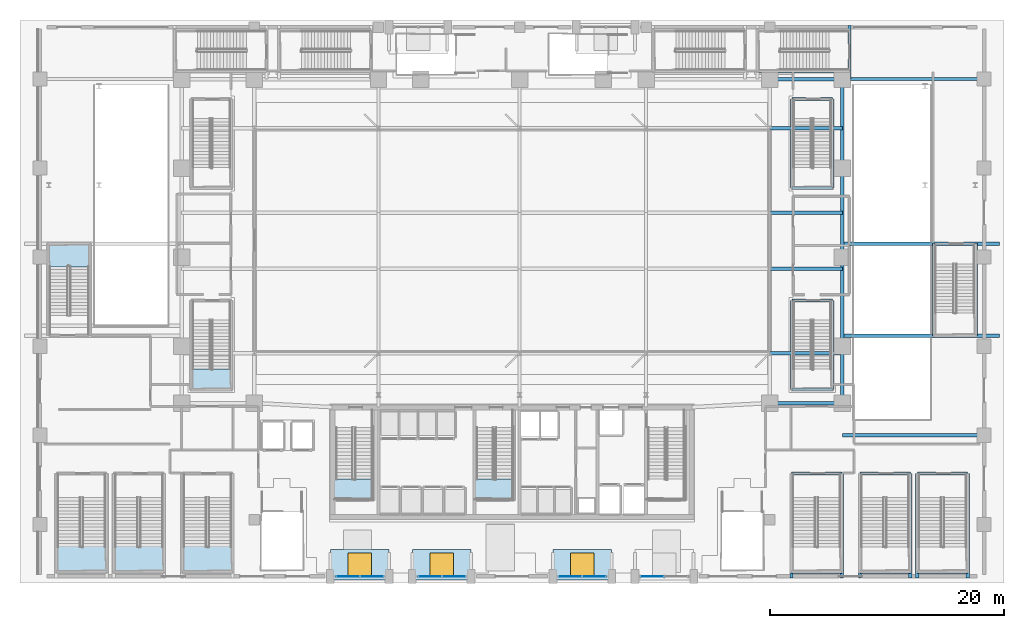
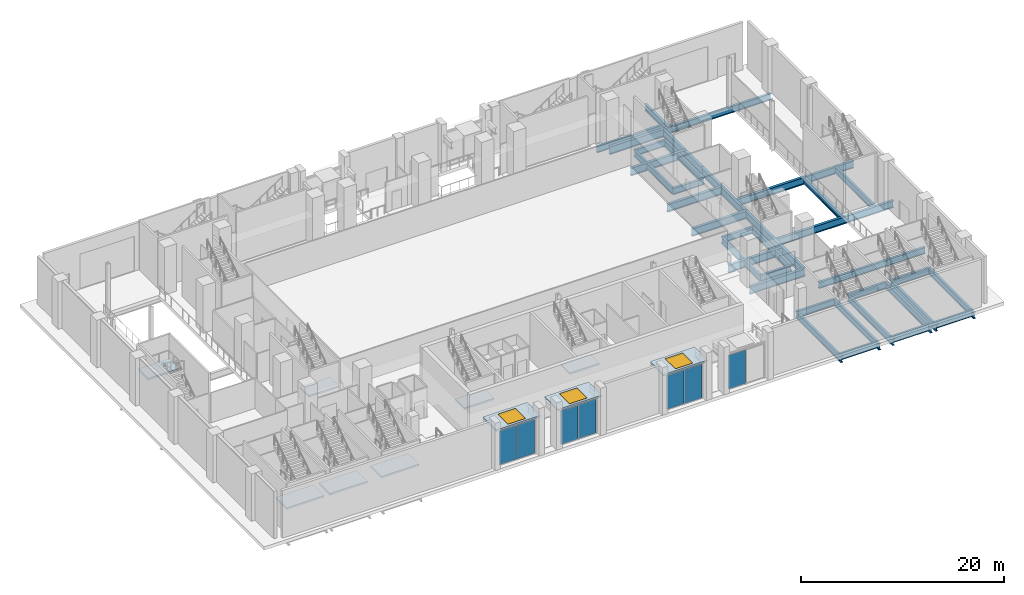
# One storey, part 16 of 36: 38 beams, 10 slabs, 7 plates, 3 windows, 3 openings, 11 elements without a shape of their own.
"""IFC4 building model written with IfcOpenShell, lengths in metres."""

from ifc_helpers import new_model, si_unit, direction, frame, origin, origin_2d, place, context, subcontext, project, spatial, polyline, rectangle, i_section, outline, extrude, material, layer, layer_set, material_profile, profile_set, type_object, element, fill, aggregate, save


model = new_model("IFC4")

# Units and contexts
model_context = context("Model", 3, precision=1e-05, world=origin(), true_north=direction((0.0, 1.0)))
body_context = subcontext(model_context, "Body", "Model", "MODEL_VIEW")
ifc_project = project(units=[si_unit("LENGTHUNIT", "METRE"), si_unit("AREAUNIT", "SQUARE_METRE"), si_unit("VOLUMEUNIT", "CUBIC_METRE"), si_unit("PLANEANGLEUNIT", "RADIAN"), si_unit("MASSUNIT", "GRAM", prefix="KILO")], contexts=[model_context])

# Site, building, storey
site_placement = place(None, origin())
site = spatial("IfcSite", under=ifc_project, at=site_placement, CompositionType="ELEMENT")
building_placement = place(site_placement, origin())
building = spatial("IfcBuilding", under=site, at=building_placement, Name="Ndaravel Arena Tower", CompositionType="ELEMENT")
storey_placement = place(building_placement, origin())
storey = spatial("IfcBuildingStorey", under=building, at=storey_placement, Name="L00", CompositionType="ELEMENT", Elevation=0.0)

# Beams
ifc_material_1 = material(Name="Steel S355", Category="steel")
ifc_material_profile_1 = material_profile(ifc_material_1, i_section(OverallWidth=0.26806640625, OverallDepth=0.769775390625, WebThickness=0.015625, FlangeThickness=0.025390625, FilletRadius=0.0166015625, at=origin_2d()), Name="UB 762x267x197")
ifc_profile_set_1 = profile_set([ifc_material_profile_1], Name="Steel S355")
beam_type_1 = type_object("IfcBeamType", Name="BM-POD-UB762", PredefinedType="BEAM", material=ifc_profile_set_1)
for number, where, z_axis, x_axis, name in (
    (1, (70.199951171875, 43.0, -0.784912109375), (1.0, 0.0, 0.0), (0.0, 1.0, 0.0), "L00 East Concourse Beam 04"),
    (2, (70.199951171875, 12.60009765625, -0.784912109375), (1.0, 0.0, 0.0), (0.0, 1.0, 0.0), "L00 Truck Ramp South Header Girder"),
):
    element("IfcBeam", number, at=place(storey_placement, frame(where, z_axis=z_axis, x_axis=x_axis)), inside=storey, type_object=beam_type_1, Name=name, PredefinedType="BEAM", context=body_context, shape_type="SweptSolid", body=[
        extrude(i_section(OverallWidth=0.26806640625, OverallDepth=0.769775390625, WebThickness=0.015625, FlangeThickness=0.025390625, FilletRadius=0.0166015625, at=origin_2d()), origin(), (0.0, 0.0, 1.0), 12.10009765625),
    ])
for number, where, z_axis, x_axis, name in (
    (3, (65.85009765625, 0.39990234375, -0.784912109375), (0.0, 1.0, 0.0), (-1.0, 0.0, 0.0), "L00 Stair ST-A04 Tie Beam 1"),
    (4, (70.14990234375, 0.39990234375, -0.784912109375), (0.0, 1.0, 0.0), (-1.0, 0.0, 0.0), "L00 Stair ST-A04 Tie Beam 2"),
):
    element("IfcBeam", number, at=place(storey_placement, frame(where, z_axis=z_axis, x_axis=x_axis)), inside=storey, type_object=beam_type_1, Name=name, PredefinedType="BEAM", context=body_context, shape_type="SweptSolid", body=[
        extrude(i_section(OverallWidth=0.26806640625, OverallDepth=0.769775390625, WebThickness=0.015625, FlangeThickness=0.025390625, FilletRadius=0.0166015625, at=origin_2d()), origin(), (0.0, 0.0, 1.0), 8.9501953125),
    ])
for number, where, z_axis, x_axis, name in (
    (5, (65.85009765625, 0.949951171875, -0.784912109375), (1.0, 0.0, 0.0), (0.0, 1.0, 0.0), "L00 Stair ST-A04 South Carrier Girder"),
    (6, (65.85009765625, 9.35009765625, -0.784912109375), (1.0, 0.0, 0.0), (0.0, 1.0, 0.0), "L00 Stair ST-A04 North Carrier Girder"),
):
    element("IfcBeam", number, at=place(storey_placement, frame(where, z_axis=z_axis, x_axis=x_axis)), inside=storey, type_object=beam_type_1, Name=name, PredefinedType="BEAM", context=body_context, shape_type="SweptSolid", body=[
        extrude(i_section(OverallWidth=0.26806640625, OverallDepth=0.769775390625, WebThickness=0.015625, FlangeThickness=0.025390625, FilletRadius=0.0166015625, at=origin_2d()), origin(), (0.0, 0.0, 1.0), 4.2998046875),
    ])
for number, where, z_axis, x_axis, name in (
    (7, (71.699951171875, 0.39990234375, -0.784912109375), (0.0, 1.0, 0.0), (-1.0, 0.0, 0.0), "L00 Stair ST-A05 Tie Beam 1"),
    (8, (76.0, 0.39990234375, -0.784912109375), (0.0, 1.0, 0.0), (-1.0, 0.0, 0.0), "L00 Stair ST-A05 Tie Beam 2"),
):
    element("IfcBeam", number, at=place(storey_placement, frame(where, z_axis=z_axis, x_axis=x_axis)), inside=storey, type_object=beam_type_1, Name=name, PredefinedType="BEAM", context=body_context, shape_type="SweptSolid", body=[
        extrude(i_section(OverallWidth=0.26806640625, OverallDepth=0.769775390625, WebThickness=0.015625, FlangeThickness=0.025390625, FilletRadius=0.0166015625, at=origin_2d()), origin(), (0.0, 0.0, 1.0), 8.9501953125),
    ])
for number, where, z_axis, x_axis, name in (
    (9, (71.699951171875, 0.949951171875, -0.784912109375), (1.0, 0.0, 0.0), (0.0, 1.0, 0.0), "L00 Stair ST-A05 South Carrier Girder"),
    (10, (71.699951171875, 9.35009765625, -0.784912109375), (1.0, 0.0, 0.0), (0.0, 1.0, 0.0), "L00 Stair ST-A05 North Carrier Girder"),
):
    element("IfcBeam", number, at=place(storey_placement, frame(where, z_axis=z_axis, x_axis=x_axis)), inside=storey, type_object=beam_type_1, Name=name, PredefinedType="BEAM", context=body_context, shape_type="SweptSolid", body=[
        extrude(i_section(OverallWidth=0.26806640625, OverallDepth=0.769775390625, WebThickness=0.015625, FlangeThickness=0.025390625, FilletRadius=0.0166015625, at=origin_2d()), origin(), (0.0, 0.0, 1.0), 4.300048828125),
    ])
for number, where, z_axis, x_axis, name in (
    (11, (76.60009765625, 0.39990234375, -0.784912109375), (0.0, 1.0, 0.0), (-1.0, 0.0, 0.0), "L00 Stair ST-A06 Tie Beam 1"),
    (12, (80.89990234375, 0.39990234375, -0.784912109375), (0.0, 1.0, 0.0), (-1.0, 0.0, 0.0), "L00 Stair ST-A06 Tie Beam 2"),
):
    element("IfcBeam", number, at=place(storey_placement, frame(where, z_axis=z_axis, x_axis=x_axis)), inside=storey, type_object=beam_type_1, Name=name, PredefinedType="BEAM", context=body_context, shape_type="SweptSolid", body=[
        extrude(i_section(OverallWidth=0.26806640625, OverallDepth=0.769775390625, WebThickness=0.015625, FlangeThickness=0.025390625, FilletRadius=0.0166015625, at=origin_2d()), origin(), (0.0, 0.0, 1.0), 8.9501953125),
    ])
for number, where, z_axis, x_axis, name in (
    (13, (76.60009765625, 0.949951171875, -0.784912109375), (1.0, 0.0, 0.0), (0.0, 1.0, 0.0), "L00 Stair ST-A06 South Carrier Girder"),
    (14, (76.60009765625, 9.35009765625, -0.784912109375), (1.0, 0.0, 0.0), (0.0, 1.0, 0.0), "L00 Stair ST-A06 North Carrier Girder"),
):
    element("IfcBeam", number, at=place(storey_placement, frame(where, z_axis=z_axis, x_axis=x_axis)), inside=storey, type_object=beam_type_1, Name=name, PredefinedType="BEAM", context=body_context, shape_type="SweptSolid", body=[
        extrude(i_section(OverallWidth=0.26806640625, OverallDepth=0.769775390625, WebThickness=0.015625, FlangeThickness=0.025390625, FilletRadius=0.0166015625, at=origin_2d()), origin(), (0.0, 0.0, 1.0), 4.2998046875),
    ])
beam_1_placement = place(storey_placement, frame((70.800048828125, 43.0, -0.784912109375), z_axis=(0.0, 1.0, 0.0), x_axis=(-1.0, 0.0, 0.0)))
element("IfcBeam", 15, at=beam_1_placement, inside=storey, type_object=beam_type_1, Name="L00 Stair ST-A11 North Tie Girder 2", PredefinedType="BEAM", context=body_context, shape_type="SweptSolid", body=[
    extrude(i_section(OverallWidth=0.26806640625, OverallDepth=0.769775390625, WebThickness=0.015625, FlangeThickness=0.025390625, FilletRadius=0.0166015625, at=origin_2d()), origin(), (0.0, 0.0, 1.0), 4.60009765625),
])
beam_2_placement = place(storey_placement, frame((62.949951171875, 43.659912109375, -0.784912109375), z_axis=(1.0, 0.0, 0.0), x_axis=(0.0, 1.0, 0.0)))
element("IfcBeam", 16, at=beam_2_placement, inside=storey, type_object=beam_type_1, Name="L00 Stair ST-A11 Inner Carrier Beam", PredefinedType="BEAM", context=body_context, shape_type="SweptSolid", body=[
    extrude(i_section(OverallWidth=0.26806640625, OverallDepth=0.769775390625, WebThickness=0.015625, FlangeThickness=0.025390625, FilletRadius=0.0166015625, at=origin_2d()), origin(), (0.0, 0.0, 1.0), 7.85009765625),
])
for number, where, z_axis, x_axis, name in (
    (17, (78.02001953125, 21.10009765625, -0.784912109375), (0.0, 1.0, 0.0), (-1.0, 0.0, 0.0), "L00 Stair ST-A12 Side Carrier Beam 1"),
    (18, (81.60009765625, 21.10009765625, -0.784912109375), (0.0, 1.0, 0.0), (-1.0, 0.0, 0.0), "L00 Stair ST-A12 Side Carrier Beam 2"),
):
    element("IfcBeam", number, at=place(storey_placement, frame(where, z_axis=z_axis, x_axis=x_axis)), inside=storey, type_object=beam_type_1, Name=name, PredefinedType="BEAM", context=body_context, shape_type="SweptSolid", body=[
        extrude(i_section(OverallWidth=0.26806640625, OverallDepth=0.769775390625, WebThickness=0.015625, FlangeThickness=0.025390625, FilletRadius=0.0166015625, at=origin_2d()), origin(), (0.0, 0.0, 1.0), 7.849853515625),
    ])
for number, where, z_axis, x_axis, name in (
    (19, (65.89990234375, 16.5, -0.784912109375), (0.0, 1.0, 0.0), (-1.0, 0.0, 0.0), "L00 Stair ST-VOM-3 Vomitory Side Beam 1"),
    (20, (69.360107421875, 16.5, -0.784912109375), (0.0, 1.0, 0.0), (-1.0, 0.0, 0.0), "L00 Stair ST-VOM-3 Vomitory Side Beam 2"),
):
    element("IfcBeam", number, at=place(storey_placement, frame(where, z_axis=z_axis, x_axis=x_axis)), inside=storey, type_object=beam_type_1, Name=name, PredefinedType="BEAM", context=body_context, shape_type="SweptSolid", body=[
        extrude(i_section(OverallWidth=0.26806640625, OverallDepth=0.769775390625, WebThickness=0.015625, FlangeThickness=0.025390625, FilletRadius=0.0166015625, at=origin_2d()), origin(), (0.0, 0.0, 1.0), 7.60009765625),
    ])
for number, where, z_axis, x_axis, name in (
    (21, (65.89990234375, 16.5, -0.784912109375), (1.0, 0.0, 0.0), (0.0, 1.0, 0.0), "L00 Stair ST-VOM-3 Vomitory End Beam 1"),
    (22, (65.89990234375, 24.10009765625, -0.784912109375), (1.0, 0.0, 0.0), (0.0, 1.0, 0.0), "L00 Stair ST-VOM-3 Vomitory End Beam 2"),
):
    element("IfcBeam", number, at=place(storey_placement, frame(where, z_axis=z_axis, x_axis=x_axis)), inside=storey, type_object=beam_type_1, Name=name, PredefinedType="BEAM", context=body_context, shape_type="SweptSolid", body=[
        extrude(i_section(OverallWidth=0.26806640625, OverallDepth=0.769775390625, WebThickness=0.015625, FlangeThickness=0.025390625, FilletRadius=0.0166015625, at=origin_2d()), origin(), (0.0, 0.0, 1.0), 3.460205078125),
    ])
for number, where, z_axis, x_axis, name in (
    (23, (65.89990234375, 33.699951171875, -0.784912109375), (0.0, 1.0, 0.0), (-1.0, 0.0, 0.0), "L00 Stair ST-VOM-4 Vomitory Side Beam 1"),
    (24, (69.360107421875, 33.699951171875, -0.784912109375), (0.0, 1.0, 0.0), (-1.0, 0.0, 0.0), "L00 Stair ST-VOM-4 Vomitory Side Beam 2"),
):
    element("IfcBeam", number, at=place(storey_placement, frame(where, z_axis=z_axis, x_axis=x_axis)), inside=storey, type_object=beam_type_1, Name=name, PredefinedType="BEAM", context=body_context, shape_type="SweptSolid", body=[
        extrude(i_section(OverallWidth=0.26806640625, OverallDepth=0.769775390625, WebThickness=0.015625, FlangeThickness=0.025390625, FilletRadius=0.0166015625, at=origin_2d()), origin(), (0.0, 0.0, 1.0), 7.60009765625),
    ])
for number, where, z_axis, x_axis, name in (
    (25, (65.89990234375, 33.699951171875, -0.784912109375), (1.0, 0.0, 0.0), (0.0, 1.0, 0.0), "L00 Stair ST-VOM-4 Vomitory End Beam 1"),
    (26, (65.89990234375, 41.300048828125, -0.784912109375), (1.0, 0.0, 0.0), (0.0, 1.0, 0.0), "L00 Stair ST-VOM-4 Vomitory End Beam 2"),
):
    element("IfcBeam", number, at=place(storey_placement, frame(where, z_axis=z_axis, x_axis=x_axis)), inside=storey, type_object=beam_type_1, Name=name, PredefinedType="BEAM", context=body_context, shape_type="SweptSolid", body=[
        extrude(i_section(OverallWidth=0.26806640625, OverallDepth=0.769775390625, WebThickness=0.015625, FlangeThickness=0.025390625, FilletRadius=0.0166015625, at=origin_2d()), origin(), (0.0, 0.0, 1.0), 3.460205078125),
    ])
ifc_material_2 = material(Name="Steel S355", Category="steel")
ifc_material_profile_2 = material_profile(ifc_material_2, i_section(OverallWidth=0.293701171875, OverallDepth=0.850830078125, WebThickness=0.01611328125, FlangeThickness=0.02685546875, FilletRadius=0.017822265625, at=origin_2d()), Name="UB 838x292x226")
ifc_profile_set_2 = profile_set([ifc_material_profile_2], Name="Steel S355")
beam_type_2 = type_object("IfcBeamType", Name="BM-POD-UB838", PredefinedType="BEAM", material=ifc_profile_set_2)
for number, where, z_axis, x_axis, name in (
    (27, (70.199951171875, 21.10009765625, -0.825439453125), (1.0, 0.0, 0.0), (0.0, 1.0, 0.0), "L00 Stair ST-A12 Cross Carrier Girder 1"),
    (28, (70.199951171875, 28.949951171875, -0.825439453125), (1.0, 0.0, 0.0), (0.0, 1.0, 0.0), "L00 Stair ST-A12 Cross Carrier Girder 2"),
):
    element("IfcBeam", number, at=place(storey_placement, frame(where, z_axis=z_axis, x_axis=x_axis)), inside=storey, type_object=beam_type_2, Name=name, PredefinedType="BEAM", context=body_context, shape_type="SweptSolid", body=[
        extrude(i_section(OverallWidth=0.293701171875, OverallDepth=0.850830078125, WebThickness=0.01611328125, FlangeThickness=0.02685546875, FilletRadius=0.017822265625, at=origin_2d()), origin(), (0.0, 0.0, 1.0), 13.400146484375),
    ])
ifc_material_3 = material(Name="Steel S355", Category="steel")
ifc_material_profile_3 = material_profile(ifc_material_3, i_section(OverallWidth=0.3076171875, OverallDepth=0.926513671875, WebThickness=0.01953125, FlangeThickness=0.031982421875, FilletRadius=0.01904296875, at=origin_2d()), Name="UB 914x305x289")
ifc_profile_set_3 = profile_set([ifc_material_profile_3], Name="Steel S355")
beam_type_3 = type_object("IfcBeamType", Name="BM-POD-UB914B", PredefinedType="BEAM", material=ifc_profile_set_3)
beam_3_placement = place(storey_placement, frame((70.199951171875, 15.35009765625, -0.86328125), z_axis=(0.0, 1.0, 0.0), x_axis=(-1.0, 0.0, 0.0)))
element("IfcBeam", 29, at=beam_3_placement, inside=storey, type_object=beam_type_3, Name="L00 Arena Ring Girder 05", PredefinedType="BEAM", context=body_context, shape_type="SweptSolid", body=[
    extrude(i_section(OverallWidth=0.3076171875, OverallDepth=0.926513671875, WebThickness=0.01953125, FlangeThickness=0.031982421875, FilletRadius=0.01904296875, at=origin_2d()), origin(), (0.0, 0.0, 1.0), 4.849853515625),
])
beam_4_placement = place(storey_placement, frame((70.199951171875, 20.199951171875, -0.86328125), z_axis=(0.0, 1.0, 0.0), x_axis=(-1.0, 0.0, 0.0)))
element("IfcBeam", 30, at=beam_4_placement, inside=storey, type_object=beam_type_3, Name="L00 Arena Ring Girder 06", PredefinedType="BEAM", context=body_context, shape_type="SweptSolid", body=[
    extrude(i_section(OverallWidth=0.3076171875, OverallDepth=0.926513671875, WebThickness=0.01953125, FlangeThickness=0.031982421875, FilletRadius=0.01904296875, at=origin_2d()), origin(), (0.0, 0.0, 1.0), 7.60009765625),
])
beam_5_placement = place(storey_placement, frame((70.199951171875, 27.800048828125, -0.86328125), z_axis=(0.0, 1.0, 0.0), x_axis=(-1.0, 0.0, 0.0)))
element("IfcBeam", 31, at=beam_5_placement, inside=storey, type_object=beam_type_3, Name="L00 Arena Ring Girder 07", PredefinedType="BEAM", context=body_context, shape_type="SweptSolid", body=[
    extrude(i_section(OverallWidth=0.3076171875, OverallDepth=0.926513671875, WebThickness=0.01953125, FlangeThickness=0.031982421875, FilletRadius=0.01904296875, at=origin_2d()), origin(), (0.0, 0.0, 1.0), 7.599853515625),
])
beam_6_placement = place(storey_placement, frame((70.199951171875, 35.39990234375, -0.86328125), z_axis=(0.0, 1.0, 0.0), x_axis=(-1.0, 0.0, 0.0)))
element("IfcBeam", 32, at=beam_6_placement, inside=storey, type_object=beam_type_3, Name="L00 Arena Ring Girder 08", PredefinedType="BEAM", context=body_context, shape_type="SweptSolid", body=[
    extrude(i_section(OverallWidth=0.3076171875, OverallDepth=0.926513671875, WebThickness=0.01953125, FlangeThickness=0.031982421875, FilletRadius=0.01904296875, at=origin_2d()), origin(), (0.0, 0.0, 1.0), 7.60009765625),
])
for number, where, z_axis, x_axis, name in (
    (33, (64.0, 43.0, -0.86328125), (1.0, 0.0, 0.0), (0.0, 1.0, 0.0), "L00 Arena Ring Girder 16"),
    (34, (64.0, 15.35009765625, -0.86328125), (1.0, 0.0, 0.0), (0.0, 1.0, 0.0), "L00 Arena Ring Girder 20"),
    (35, (64.0, 19.60009765625, -0.86328125), (1.0, 0.0, 0.0), (0.0, 1.0, 0.0), "L00 Sub-Court Girder 1.6"),
    (36, (64.0, 26.800048828125, -0.86328125), (1.0, 0.0, 0.0), (0.0, 1.0, 0.0), "L00 Sub-Court Girder 2.6"),
    (37, (64.0, 31.60009765625, -0.86328125), (1.0, 0.0, 0.0), (0.0, 1.0, 0.0), "L00 Sub-Court Girder 3.6"),
    (38, (64.0, 38.800048828125, -0.86328125), (1.0, 0.0, 0.0), (0.0, 1.0, 0.0), "L00 Sub-Court Girder 4.6"),
):
    element("IfcBeam", number, at=place(storey_placement, frame(where, z_axis=z_axis, x_axis=x_axis)), inside=storey, type_object=beam_type_3, Name=name, PredefinedType="BEAM", context=body_context, shape_type="SweptSolid", body=[
        extrude(i_section(OverallWidth=0.3076171875, OverallDepth=0.926513671875, WebThickness=0.01953125, FlangeThickness=0.031982421875, FilletRadius=0.01904296875, at=origin_2d()), origin(), (0.0, 0.0, 1.0), 6.199951171875),
    ])

# Curtain wall, plates
ifc_material_4 = material(Name="Aluminium", Category="aluminium")
ifc_layer_1 = layer(ifc_material_4, 0.179931640625)
ifc_layer_set_1 = layer_set([ifc_layer_1], Name="Aluminium")
curtain_wall_type = type_object("IfcCurtainWallType", Name="CW-SYS-05", PredefinedType="NOTDEFINED", material=ifc_layer_set_1)
curtain_wall_1_placement = place(storey_placement, origin())
curtain_wall_1 = element("IfcCurtainWall", 39, at=curtain_wall_1_placement, inside=storey, type_object=curtain_wall_type, Name="L00 South Foyer Storefront CW-L00-SF-1", PredefinedType="NOTDEFINED")
ifc_material_5 = material(Name="Glazing", Category="glass")
ifc_layer_2 = layer(ifc_material_5, 0.0400390625)
ifc_layer_set_2 = layer_set([ifc_layer_2], Name="Glazing")
plate_type = type_object("IfcPlateType", Name="PLT-GLZ-LOWIRON", PredefinedType="CURTAIN_PANEL", material=ifc_layer_set_2)
plate_1_placement = place(storey_placement, frame((27.97509765625, 0.550048828125, 0.06005859375), z_axis=(0.0, 0.0, 1.0), x_axis=(1.0, 0.0, 0.0)))
plate_1 = element("IfcPlate", 40, at=plate_1_placement, type_object=plate_type, Name="CW-L00-SF-1 Vision Glass Panel 01", PredefinedType="CURTAIN_PANEL", context=body_context, shape_type="SweptSolid", body=[
    extrude(rectangle(XDim=1.969970703125, YDim=0.035888671875, at=origin_2d()), origin(), (0.0, 0.0, 1.0), 4.06005859375),
])
plate_2_placement = place(storey_placement, frame((30.02490234375, 0.550048828125, 0.06005859375), z_axis=(0.0, 0.0, 1.0), x_axis=(1.0, 0.0, 0.0)))
plate_2 = element("IfcPlate", 41, at=plate_2_placement, type_object=plate_type, Name="CW-L00-SF-1 Vision Glass Panel 02", PredefinedType="CURTAIN_PANEL", context=body_context, shape_type="SweptSolid", body=[
    extrude(rectangle(XDim=1.969970703125, YDim=0.035888671875, at=origin_2d()), origin(), (0.0, 0.0, 1.0), 4.06005859375),
])
aggregate(curtain_wall_1, [plate_1, plate_2])

curtain_wall_2_placement = place(storey_placement, origin())
curtain_wall_2 = element("IfcCurtainWall", 42, at=curtain_wall_2_placement, inside=storey, type_object=curtain_wall_type, Name="L00 South Foyer Storefront CW-L00-SF-2", PredefinedType="NOTDEFINED")
plate_3_placement = place(storey_placement, frame((34.97509765625, 0.550048828125, 0.06005859375), z_axis=(0.0, 0.0, 1.0), x_axis=(1.0, 0.0, 0.0)))
plate_3 = element("IfcPlate", 43, at=plate_3_placement, type_object=plate_type, Name="CW-L00-SF-2 Vision Glass Panel 01", PredefinedType="CURTAIN_PANEL", context=body_context, shape_type="SweptSolid", body=[
    extrude(rectangle(XDim=1.969970703125, YDim=0.035888671875, at=origin_2d()), origin(), (0.0, 0.0, 1.0), 4.06005859375),
])
plate_4_placement = place(storey_placement, frame((37.02490234375, 0.550048828125, 0.06005859375), z_axis=(0.0, 0.0, 1.0), x_axis=(1.0, 0.0, 0.0)))
plate_4 = element("IfcPlate", 44, at=plate_4_placement, type_object=plate_type, Name="CW-L00-SF-2 Vision Glass Panel 02", PredefinedType="CURTAIN_PANEL", context=body_context, shape_type="SweptSolid", body=[
    extrude(rectangle(XDim=1.969970703125, YDim=0.035888671875, at=origin_2d()), origin(), (0.0, 0.0, 1.0), 4.06005859375),
])
aggregate(curtain_wall_2, [plate_3, plate_4])

curtain_wall_3_placement = place(storey_placement, origin())
curtain_wall_3 = element("IfcCurtainWall", 45, at=curtain_wall_3_placement, inside=storey, type_object=curtain_wall_type, Name="L00 South Foyer Storefront CW-L00-SF-3", PredefinedType="NOTDEFINED")
plate_5_placement = place(storey_placement, frame((46.97509765625, 0.550048828125, 0.06005859375), z_axis=(0.0, 0.0, 1.0), x_axis=(1.0, 0.0, 0.0)))
plate_5 = element("IfcPlate", 46, at=plate_5_placement, type_object=plate_type, Name="CW-L00-SF-3 Vision Glass Panel 01", PredefinedType="CURTAIN_PANEL", context=body_context, shape_type="SweptSolid", body=[
    extrude(rectangle(XDim=1.969970703125, YDim=0.035888671875, at=origin_2d()), origin(), (0.0, 0.0, 1.0), 4.06005859375),
])
plate_6_placement = place(storey_placement, frame((49.02490234375, 0.550048828125, 0.06005859375), z_axis=(0.0, 0.0, 1.0), x_axis=(1.0, 0.0, 0.0)))
plate_6 = element("IfcPlate", 47, at=plate_6_placement, type_object=plate_type, Name="CW-L00-SF-3 Vision Glass Panel 02", PredefinedType="CURTAIN_PANEL", context=body_context, shape_type="SweptSolid", body=[
    extrude(rectangle(XDim=1.969970703125, YDim=0.035888671875, at=origin_2d()), origin(), (0.0, 0.0, 1.0), 4.06005859375),
])
aggregate(curtain_wall_3, [plate_5, plate_6])

# Curtain wall, plate
curtain_wall_4_placement = place(storey_placement, origin())
curtain_wall_4 = element("IfcCurtainWall", 48, at=curtain_wall_4_placement, inside=storey, type_object=curtain_wall_type, Name="L00 South Foyer Storefront CW-L00-SF-4", PredefinedType="NOTDEFINED")
plate_7_placement = place(storey_placement, frame((53.97509765625, 0.550048828125, 0.06005859375), z_axis=(0.0, 0.0, 1.0), x_axis=(1.0, 0.0, 0.0)))
plate_7 = element("IfcPlate", 49, at=plate_7_placement, type_object=plate_type, Name="CW-L00-SF-4 Vision Glass Panel 01", PredefinedType="CURTAIN_PANEL", context=body_context, shape_type="SweptSolid", body=[
    extrude(rectangle(XDim=1.969970703125, YDim=0.035888671875, at=origin_2d()), origin(), (0.0, 0.0, 1.0), 4.06005859375),
])
aggregate(curtain_wall_4, [plate_7])

# Slab, opening, window
ifc_material_6 = material(Name="Concrete C40/50", Category="concrete")
ifc_layer_3 = layer(ifc_material_6, 0.199951171875)
ifc_layer_set_3 = layer_set([ifc_layer_3], Name="Concrete C40/50")
slab_type_1 = type_object("IfcSlabType", Name="SLAB-CANOPY-ROOF-200", PredefinedType="ROOF", material=ifc_layer_set_3)
slab_1_placement = place(storey_placement, frame((0.0, 0.0, 4.39990234375)))
slab_1 = element("IfcSlab", 50, at=slab_1_placement, inside=storey, type_object=slab_type_1, Name="L00 Entrance Canopy Roof 01", PredefinedType="ROOF", context=body_context, shape_type="SweptSolid", body=[
    extrude(outline(polyline([(26.5, 0.25), (31.5, 0.25), (31.5, 2.85009765625), (26.5, 2.85009765625), (26.5, 0.25)]), holes=[polyline([(28.0, 0.550048828125), (30.0, 0.550048828125), (30.0, 2.550048828125), (28.0, 2.550048828125), (28.0, 0.550048828125)])]), origin(), (0.0, 0.0, 1.0), 0.2001953125),
])
opening_1_placement = place(slab_1_placement, frame((29.0, 1.550048828125, 0.0)))
opening_1 = element("IfcOpeningElement", 51, at=opening_1_placement, cuts=slab_1, Name="Opening SK-01", PredefinedType="OPENING", context=body_context, shape_type="SweptSolid", body=[
    extrude(rectangle(XDim=2.0, YDim=2.0, at=origin_2d()), origin(), (0.0, 0.0, 1.0), 0.2001953125),
])
ifc_material_7 = material(Name="Glazing", Category="glass")
window_type = type_object("IfcWindowType", Name="WIN-SKY-2000", PartitioningType="SINGLE_PANEL", PredefinedType="SKYLIGHT", material=ifc_material_7)
window_1_placement = place(opening_1_placement, frame((0.0, 0.0, 0.150146484375)))
window_1 = element("IfcWindow", 52, at=window_1_placement, inside=storey, type_object=window_type, Name="Entrance Canopy Roof Skylight 01", OverallHeight=2.0, OverallWidth=2.0, PartitioningType="SINGLE_PANEL", PredefinedType="SKYLIGHT", context=body_context, shape_type="SweptSolid", body=[
    extrude(rectangle(XDim=2.0, YDim=2.0, at=origin_2d()), origin(), (0.0, 0.0, 1.0), 0.050048828125),
])
fill(opening_1, window_1)

slab_2_placement = place(storey_placement, frame((0.0, 0.0, 4.39990234375)))
slab_2 = element("IfcSlab", 53, at=slab_2_placement, inside=storey, type_object=slab_type_1, Name="L00 Entrance Canopy Roof 02", PredefinedType="ROOF", context=body_context, shape_type="SweptSolid", body=[
    extrude(outline(polyline([(33.5, 0.25), (38.5, 0.25), (38.5, 2.85009765625), (33.5, 2.85009765625), (33.5, 0.25)]), holes=[polyline([(35.0, 0.550048828125), (37.0, 0.550048828125), (37.0, 2.550048828125), (35.0, 2.550048828125), (35.0, 0.550048828125)])]), origin(), (0.0, 0.0, 1.0), 0.2001953125),
])
opening_2_placement = place(slab_2_placement, frame((36.0, 1.550048828125, 0.0)))
opening_2 = element("IfcOpeningElement", 54, at=opening_2_placement, cuts=slab_2, Name="Opening SK-01", PredefinedType="OPENING", context=body_context, shape_type="SweptSolid", body=[
    extrude(rectangle(XDim=2.0, YDim=2.0, at=origin_2d()), origin(), (0.0, 0.0, 1.0), 0.2001953125),
])
window_2_placement = place(opening_2_placement, frame((0.0, 0.0, 0.150146484375)))
window_2 = element("IfcWindow", 55, at=window_2_placement, inside=storey, type_object=window_type, Name="Entrance Canopy Roof Skylight 02", OverallHeight=2.0, OverallWidth=2.0, PartitioningType="SINGLE_PANEL", PredefinedType="SKYLIGHT", context=body_context, shape_type="SweptSolid", body=[
    extrude(rectangle(XDim=2.0, YDim=2.0, at=origin_2d()), origin(), (0.0, 0.0, 1.0), 0.050048828125),
])
fill(opening_2, window_2)

slab_3_placement = place(storey_placement, frame((0.0, 0.0, 4.39990234375)))
slab_3 = element("IfcSlab", 56, at=slab_3_placement, inside=storey, type_object=slab_type_1, Name="L00 Entrance Canopy Roof 03", PredefinedType="ROOF", context=body_context, shape_type="SweptSolid", body=[
    extrude(outline(polyline([(45.5, 0.25), (50.5, 0.25), (50.5, 2.85009765625), (45.5, 2.85009765625), (45.5, 0.25)]), holes=[polyline([(47.0, 0.550048828125), (49.0, 0.550048828125), (49.0, 2.550048828125), (47.0, 2.550048828125), (47.0, 0.550048828125)])]), origin(), (0.0, 0.0, 1.0), 0.2001953125),
])
opening_3_placement = place(slab_3_placement, frame((48.0, 1.550048828125, 0.0)))
opening_3 = element("IfcOpeningElement", 57, at=opening_3_placement, cuts=slab_3, Name="Opening SK-01", PredefinedType="OPENING", context=body_context, shape_type="SweptSolid", body=[
    extrude(rectangle(XDim=2.0, YDim=2.0, at=origin_2d()), origin(), (0.0, 0.0, 1.0), 0.2001953125),
])
window_3_placement = place(opening_3_placement, frame((0.0, 0.0, 0.150146484375)))
window_3 = element("IfcWindow", 58, at=window_3_placement, inside=storey, type_object=window_type, Name="Entrance Canopy Roof Skylight 03", OverallHeight=2.0, OverallWidth=2.0, PartitioningType="SINGLE_PANEL", PredefinedType="SKYLIGHT", context=body_context, shape_type="SweptSolid", body=[
    extrude(rectangle(XDim=2.0, YDim=2.0, at=origin_2d()), origin(), (0.0, 0.0, 1.0), 0.050048828125),
])
fill(opening_3, window_3)

# Stair, slab
ifc_material_8 = material(Name="Concrete C40/50", Category="concrete")
stair_type_1 = type_object("IfcStairType", Name="STAIR-CORE-HT", PredefinedType="HALF_TURN_STAIR", material=ifc_material_8)
stair_1_placement = place(storey_placement, origin())
stair_1 = element("IfcStair", 59, at=stair_1_placement, inside=storey, type_object=stair_type_1, Name="L00 ST-1", PredefinedType="HALF_TURN_STAIR")
ifc_material_9 = material(Name="Concrete C40/50", Category="concrete")
ifc_layer_4 = layer(ifc_material_9, 0.199951171875)
ifc_layer_set_4 = layer_set([ifc_layer_4], Name="Concrete C40/50")
slab_type_2 = type_object("IfcSlabType", Name="SLAB-STAIR-LANDING", PredefinedType="LANDING", material=ifc_layer_set_4)
slab_4_placement = place(storey_placement, frame((0.0, 0.0, 2.800048828125)))
slab_4 = element("IfcSlab", 60, at=slab_4_placement, type_object=slab_type_2, Name="ST-1 landing 1", PredefinedType="LANDING", context=body_context, shape_type="SweptSolid", body=[
    extrude(outline(polyline([(26.81005859375, 8.860107421875), (26.81005859375, 7.070068359375), (30.169921875, 7.070068359375), (30.169921875, 8.860107421875), (26.81005859375, 8.860107421875)])), origin(), (0.0, 0.0, 1.0), 0.199951171875),
])
aggregate(stair_1, [slab_4])

stair_2_placement = place(storey_placement, origin())
stair_2 = element("IfcStair", 61, at=stair_2_placement, inside=storey, type_object=stair_type_1, Name="L00 ST-2", PredefinedType="HALF_TURN_STAIR")
slab_5_placement = place(storey_placement, frame((0.0, 0.0, 2.800048828125)))
slab_5 = element("IfcSlab", 62, at=slab_5_placement, type_object=slab_type_2, Name="ST-2 landing 1", PredefinedType="LANDING", context=body_context, shape_type="SweptSolid", body=[
    extrude(outline(polyline([(38.81005859375, 8.860107421875), (38.81005859375, 7.070068359375), (42.169921875, 7.070068359375), (42.169921875, 8.860107421875), (38.81005859375, 8.860107421875)])), origin(), (0.0, 0.0, 1.0), 0.199951171875),
])
aggregate(stair_2, [slab_5])

ifc_material_10 = material(Name="Concrete C40/50", Category="concrete")
stair_type_2 = type_object("IfcStairType", Name="STAIR-ARENA-HT", PredefinedType="HALF_TURN_STAIR", material=ifc_material_10)
stair_3_placement = place(storey_placement, origin())
stair_3 = element("IfcStair", 63, at=stair_3_placement, inside=storey, type_object=stair_type_2, Name="L00 ST-A01", PredefinedType="HALF_TURN_STAIR")
slab_6_placement = place(storey_placement, frame((0.0, 0.0, 2.800048828125)))
slab_6 = element("IfcSlab", 64, at=slab_6_placement, type_object=slab_type_2, Name="ST-A01 landing 1", PredefinedType="LANDING", context=body_context, shape_type="SweptSolid", body=[
    extrude(outline(polyline([(3.1201171875, 3.10498046875), (3.1201171875, 0.969970703125), (7.3798828125, 0.969970703125), (7.3798828125, 3.10498046875), (3.1201171875, 3.10498046875)])), origin(), (0.0, 0.0, 1.0), 0.199951171875),
])
aggregate(stair_3, [slab_6])

stair_4_placement = place(storey_placement, origin())
stair_4 = element("IfcStair", 65, at=stair_4_placement, inside=storey, type_object=stair_type_2, Name="L00 ST-A02", PredefinedType="HALF_TURN_STAIR")
slab_7_placement = place(storey_placement, frame((0.0, 0.0, 2.800048828125)))
slab_7 = element("IfcSlab", 66, at=slab_7_placement, type_object=slab_type_2, Name="ST-A02 landing 1", PredefinedType="LANDING", context=body_context, shape_type="SweptSolid", body=[
    extrude(outline(polyline([(8.02001953125, 3.10498046875), (8.02001953125, 0.969970703125), (12.280029296875, 0.969970703125), (12.280029296875, 3.10498046875), (8.02001953125, 3.10498046875)])), origin(), (0.0, 0.0, 1.0), 0.199951171875),
])
aggregate(stair_4, [slab_7])

stair_5_placement = place(storey_placement, origin())
stair_5 = element("IfcStair", 67, at=stair_5_placement, inside=storey, type_object=stair_type_2, Name="L00 ST-A03", PredefinedType="HALF_TURN_STAIR")
slab_8_placement = place(storey_placement, frame((0.0, 0.0, 2.800048828125)))
slab_8 = element("IfcSlab", 68, at=slab_8_placement, type_object=slab_type_2, Name="ST-A03 landing 1", PredefinedType="LANDING", context=body_context, shape_type="SweptSolid", body=[
    extrude(outline(polyline([(13.8701171875, 3.10498046875), (13.8701171875, 0.969970703125), (18.1298828125, 0.969970703125), (18.1298828125, 3.10498046875), (13.8701171875, 3.10498046875)])), origin(), (0.0, 0.0, 1.0), 0.199951171875),
])
aggregate(stair_5, [slab_8])

ifc_material_11 = material(Name="Concrete C40/50", Category="concrete")
stair_type_3 = type_object("IfcStairType", Name="STAIR-POD-QT", PredefinedType="QUARTER_TURN_STAIR", material=ifc_material_11)
stair_6_placement = place(storey_placement, origin())
stair_6 = element("IfcStair", 69, at=stair_6_placement, inside=storey, type_object=stair_type_3, Name="L00 ST-A07", PredefinedType="QUARTER_TURN_STAIR")
slab_9_placement = place(storey_placement, frame((0.0, 0.0, 2.800048828125)))
slab_9 = element("IfcSlab", 70, at=slab_9_placement, type_object=slab_type_2, Name="ST-A07 landing 1", PredefinedType="LANDING", context=body_context, shape_type="SweptSolid", body=[
    extrude(outline(polyline([(5.9599609375, 26.985107421875), (5.9599609375, 28.929931640625), (2.419921875, 28.929931640625), (2.419921875, 26.985107421875), (5.9599609375, 26.985107421875)])), origin(), (0.0, 0.0, 1.0), 0.199951171875),
])
aggregate(stair_6, [slab_9])

ifc_material_12 = material(Name="Concrete C40/50", Category="concrete")
stair_type_4 = type_object("IfcStairType", Name="STAIR-VOM-STR", PredefinedType="STRAIGHT_RUN_STAIR", material=ifc_material_12)
stair_7_placement = place(storey_placement, origin())
stair_7 = element("IfcStair", 71, at=stair_7_placement, inside=storey, type_object=stair_type_4, Name="L00 ST-VOM-1", PredefinedType="STRAIGHT_RUN_STAIR")
slab_10_placement = place(storey_placement, frame((0.0, 0.0, 2.800048828125)))
slab_10 = element("IfcSlab", 72, at=slab_10_placement, type_object=slab_type_2, Name="ST-VOM-1 landing 1", PredefinedType="LANDING", context=body_context, shape_type="SweptSolid", body=[
    extrude(outline(polyline([(14.6201171875, 18.27490234375), (14.6201171875, 16.52001953125), (18.0400390625, 16.52001953125), (18.0400390625, 18.27490234375), (14.6201171875, 18.27490234375)])), origin(), (0.0, 0.0, 1.0), 0.199951171875),
])
aggregate(stair_7, [slab_10])

save(model, "model.ifc")
